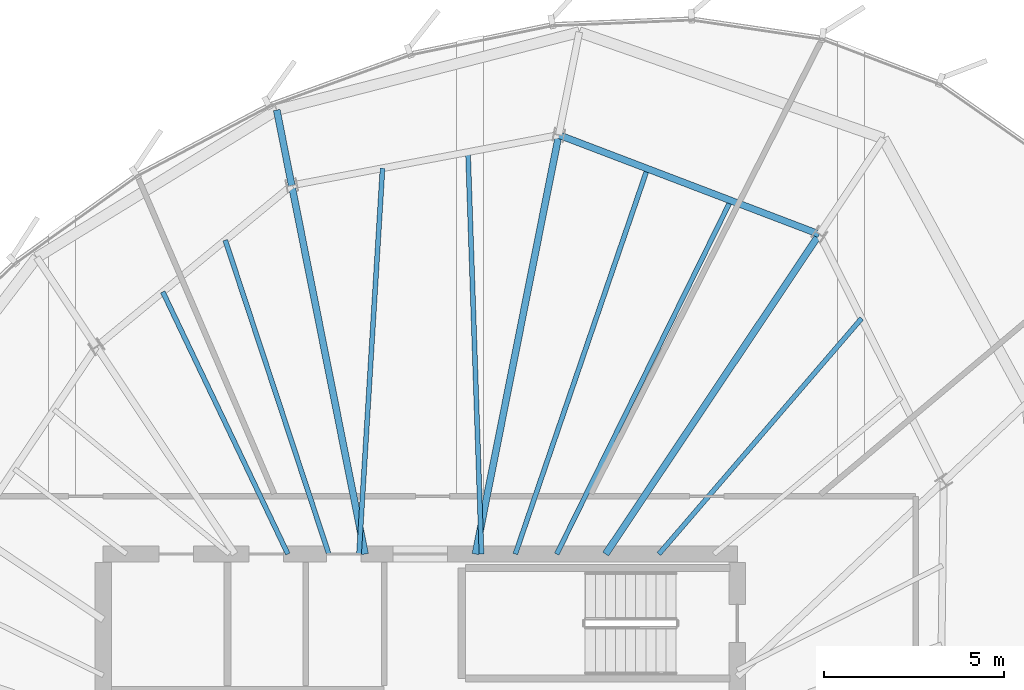
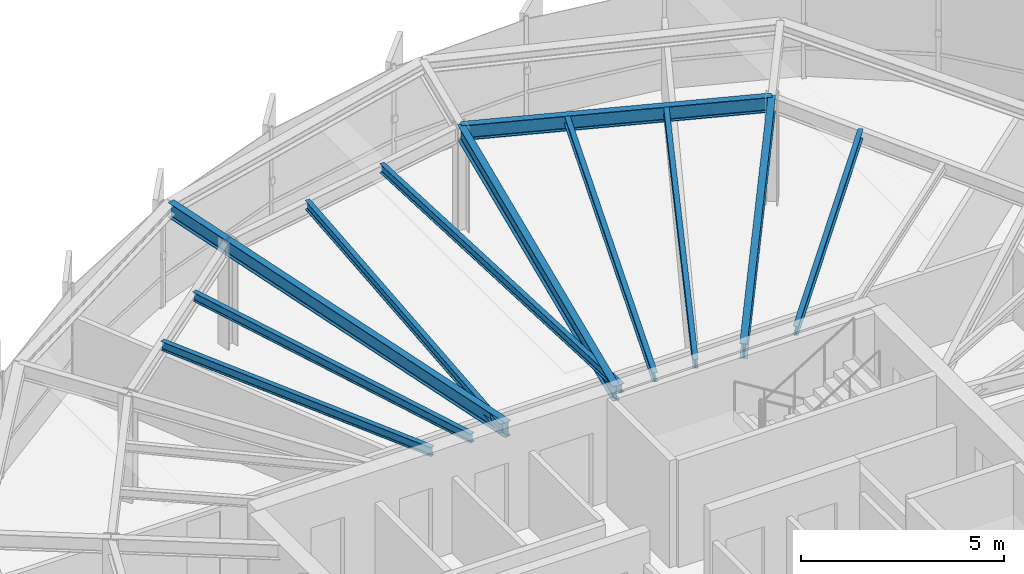
# One storey, part 22 of 36: 12 beams.
"""IFC4 building model written with IfcOpenShell, lengths in metres."""

from ifc_helpers import new_model, si_unit, direction, frame, origin, origin_2d, place, context, subcontext, project, spatial, i_section, extrude, source, transform, mapped, material, material_profile, profile_set, type_object, element, save


model = new_model("IFC4")

# Units and contexts
model_context = context("Model", 3, precision=1e-05, world=origin(), true_north=direction((0.0, 1.0)))
body_context = subcontext(model_context, "Body", "Model", "MODEL_VIEW")
ifc_project = project(units=[si_unit("LENGTHUNIT", "METRE"), si_unit("AREAUNIT", "SQUARE_METRE"), si_unit("VOLUMEUNIT", "CUBIC_METRE"), si_unit("PLANEANGLEUNIT", "RADIAN"), si_unit("MASSUNIT", "GRAM", prefix="KILO"), si_unit("THERMODYNAMICTEMPERATUREUNIT", "KELVIN")], contexts=[model_context])

# Site, building, storey
site_placement = place(None, origin())
site = spatial("IfcSite", under=ifc_project, at=site_placement, CompositionType="ELEMENT")
building_placement = place(site_placement, origin())
building = spatial("IfcBuilding", under=site, at=building_placement, Name="Kethvar Cultural Tower", CompositionType="ELEMENT")
storey_placement = place(building_placement, frame((0.0, 0.0, 228.39990234375)))
storey = spatial("IfcBuildingStorey", under=building, at=storey_placement, Name="L59", CompositionType="ELEMENT", Elevation=228.39990234375)

# Beams
ifc_material = material(Name="Steel S355J2", Category="steel")
ifc_material_profile_1 = material_profile(ifc_material, i_section(OverallWidth=0.18994140625, OverallDepth=0.449951171875, WebThickness=0.009521484375, FlangeThickness=0.0146484375, FilletRadius=0.02099609375, at=origin_2d()), Name="Steel S355J2 — IPE450")
ifc_profile_set_1 = profile_set([ifc_material_profile_1], Name="Steel S355J2 — IPE450")
beam_type_1 = type_object("IfcBeamType", Name="BM-IPE450", PredefinedType="BEAM", material=ifc_profile_set_1)
shared_shape_1 = source(origin(), body_context, "Body", "SweptSolid", [
    extrude(i_section(OverallWidth=0.18994140625, OverallDepth=0.449951171875, WebThickness=0.009521484375, FlangeThickness=0.0146484375, FilletRadius=0.02099609375, at=origin_2d()), origin(), (0.0, 0.0, 1.0), 10.673828125),
])
beam_1_placement = place(storey_placement, frame((51.945068359375, 35.5, 2.983154296875), z_axis=(0.555576086183, 0.831465701314, 0.0), x_axis=(-0.831465701314, 0.555576086183, 0.0)))
element("IfcBeam", 1, at=beam_1_placement, inside=storey, type_object=beam_type_1, Name="L59 Primary Radial Beam RB-03", PredefinedType="BEAM", context=body_context, shape_type="MappedRepresentation", body=[
    mapped(shared_shape_1, transform((0.0, 0.0, 0.0), scale=1.0)),
])
shared_shape_2 = source(origin(), body_context, "Body", "SweptSolid", [
    extrude(i_section(OverallWidth=0.18994140625, OverallDepth=0.449951171875, WebThickness=0.009521484375, FlangeThickness=0.0146484375, FilletRadius=0.02099609375, at=origin_2d()), origin(), (0.0, 0.0, 1.0), 11.859375),
])
beam_2_placement = place(storey_placement, frame((48.33154296875, 35.5, 2.983154296875), z_axis=(0.195094640585, 0.980784421377, 0.0), x_axis=(-0.980784421377, 0.195094640585, 0.0)))
element("IfcBeam", 2, at=beam_2_placement, inside=storey, type_object=beam_type_1, Name="L59 Primary Radial Beam RB-04", PredefinedType="BEAM", context=body_context, shape_type="MappedRepresentation", body=[
    mapped(shared_shape_2, transform((0.0, 0.0, 0.0), scale=1.0)),
])
shared_shape_3 = source(origin(), body_context, "Body", "SweptSolid", [
    extrude(i_section(OverallWidth=0.18994140625, OverallDepth=0.449951171875, WebThickness=0.009521484375, FlangeThickness=0.0146484375, FilletRadius=0.02099609375, at=origin_2d()), origin(), (0.0, 0.0, 1.0), 10.432861328125),
])
beam_3_placement = place(storey_placement, frame((45.268310546875, 35.5, 2.983154296875), z_axis=(-0.195094483249, 0.980784452673, 0.0), x_axis=(-0.980784452673, -0.195094483249, 0.0)))
element("IfcBeam", 3, at=beam_3_placement, inside=storey, type_object=beam_type_1, Name="L59 Primary Radial Beam RB-05", PredefinedType="BEAM", context=body_context, shape_type="MappedRepresentation", body=[
    mapped(shared_shape_3, transform((0.0, 0.0, 0.0), scale=1.0)),
])
shared_shape_4 = source(origin(), body_context, "Body", "SweptSolid", [
    extrude(i_section(OverallWidth=0.18994140625, OverallDepth=0.449951171875, WebThickness=0.009521484375, FlangeThickness=0.0146484375, FilletRadius=0.02099609375, at=origin_2d()), origin(), (0.0, 0.0, 1.0), 2.1328125),
])
beam_4_placement = place(storey_placement, frame((43.23291015625, 45.732421875, 2.983154296875), z_axis=(-0.195059361677, 0.98079143829, 0.0), x_axis=(-0.98079143829, -0.195059361677, 0.0)))
element("IfcBeam", 4, at=beam_4_placement, inside=storey, type_object=beam_type_1, Name="L59 Perimeter Cantilever Beam RC-05", PredefinedType="BEAM", context=body_context, shape_type="MappedRepresentation", body=[
    mapped(shared_shape_4, transform((0.0, 0.0, 0.0), scale=1.0)),
])
ifc_material_profile_2 = material_profile(ifc_material, i_section(OverallWidth=0.135009765625, OverallDepth=0.27001953125, WebThickness=0.006591796875, FlangeThickness=0.01025390625, FilletRadius=0.014892578125, at=origin_2d()), Name="Steel S355J2 — IPE270")
ifc_profile_set_2 = profile_set([ifc_material_profile_2], Name="Steel S355J2 — IPE270")
beam_type_2 = type_object("IfcBeamType", Name="BM-J270", PredefinedType="JOIST", material=ifc_profile_set_2)
shared_shape_5 = source(origin(), body_context, "Body", "SweptSolid", [
    extrude(i_section(OverallWidth=0.135009765625, OverallDepth=0.27001953125, WebThickness=0.006591796875, FlangeThickness=0.01025390625, FilletRadius=0.014892578125, at=origin_2d()), origin(), (0.0, 0.0, 1.0), 8.6259765625),
])
beam_5_placement = place(storey_placement, frame((53.42333984375, 35.5, 3.072998046875), z_axis=(0.65210499689, 0.758128665222, 0.0), x_axis=(-0.758128665222, 0.65210499689, 0.0)))
element("IfcBeam", 5, at=beam_5_placement, inside=storey, type_object=beam_type_2, Name="L59 Composite Floor Joist J-02B", PredefinedType="JOIST", context=body_context, shape_type="MappedRepresentation", body=[
    mapped(shared_shape_5, transform((0.0, 0.0, 0.0), scale=1.0)),
])
shared_shape_6 = source(origin(), body_context, "Body", "SweptSolid", [
    extrude(i_section(OverallWidth=0.18994140625, OverallDepth=0.449951171875, WebThickness=0.009521484375, FlangeThickness=0.0146484375, FilletRadius=0.02099609375, at=origin_2d()), origin(), (0.0, 0.0, 1.0), 7.737548828125),
])
beam_6_placement = place(storey_placement, frame((57.875244140625, 44.375, 2.983154296875), z_axis=(-0.934388230776, 0.356256416347, 0.0), x_axis=(-0.356256416347, -0.934388230776, 0.0)))
element("IfcBeam", 6, at=beam_6_placement, inside=storey, type_object=beam_type_1, Name="L59 Column Ring Tie Beam CR-03", PredefinedType="BEAM", context=body_context, shape_type="MappedRepresentation", body=[
    mapped(shared_shape_6, transform((0.0, 0.0, 0.0), scale=1.0)),
])
shared_shape_7 = source(origin(), body_context, "Body", "SweptSolid", [
    extrude(i_section(OverallWidth=0.135009765625, OverallDepth=0.27001953125, WebThickness=0.006591796875, FlangeThickness=0.01025390625, FilletRadius=0.014892578125, at=origin_2d()), origin(), (0.0, 0.0, 1.0), 10.935791015625),
])
beam_7_placement = place(storey_placement, frame((50.5888671875, 35.5, 3.072998046875), z_axis=(0.441498236677, 0.897262117227, 0.0), x_axis=(-0.897262117227, 0.441498236677, 0.0)))
element("IfcBeam", 7, at=beam_7_placement, inside=storey, type_object=beam_type_2, Name="L59 Composite Floor Joist J-03A", PredefinedType="JOIST", context=body_context, shape_type="MappedRepresentation", body=[
    mapped(shared_shape_7, transform((0.0, 0.0, 0.0), scale=1.0)),
])
shared_shape_8 = source(origin(), body_context, "Body", "SweptSolid", [
    extrude(i_section(OverallWidth=0.135009765625, OverallDepth=0.27001953125, WebThickness=0.006591796875, FlangeThickness=0.01025390625, FilletRadius=0.014892578125, at=origin_2d()), origin(), (0.0, 0.0, 1.0), 11.304931640625),
])
beam_8_placement = place(storey_placement, frame((49.438720703125, 35.5, 3.072998046875), z_axis=(0.324179110764, 0.945995720997, 0.0), x_axis=(-0.945995720997, 0.324179110764, 0.0)))
element("IfcBeam", 8, at=beam_8_placement, inside=storey, type_object=beam_type_2, Name="L59 Composite Floor Joist J-03B", PredefinedType="JOIST", context=body_context, shape_type="MappedRepresentation", body=[
    mapped(shared_shape_8, transform((0.0, 0.0, 0.0), scale=1.0)),
])
shared_shape_9 = source(origin(), body_context, "Body", "SweptSolid", [
    extrude(i_section(OverallWidth=0.135009765625, OverallDepth=0.27001953125, WebThickness=0.006591796875, FlangeThickness=0.01025390625, FilletRadius=0.014892578125, at=origin_2d()), origin(), (0.0, 0.0, 1.0), 11.162109375),
])
beam_9_placement = place(storey_placement, frame((48.5, 35.5, 3.072998046875), z_axis=(-0.0335959409, 0.999435497046, 0.0), x_axis=(-0.999435497046, -0.0335959409, 0.0)))
element("IfcBeam", 9, at=beam_9_placement, inside=storey, type_object=beam_type_2, Name="L59 Composite Floor Joist J-04A", PredefinedType="JOIST", context=body_context, shape_type="MappedRepresentation", body=[
    mapped(shared_shape_9, transform((0.0, 0.0, 0.0), scale=1.0)),
])
shared_shape_10 = source(origin(), body_context, "Body", "SweptSolid", [
    extrude(i_section(OverallWidth=0.135009765625, OverallDepth=0.27001953125, WebThickness=0.006591796875, FlangeThickness=0.01025390625, FilletRadius=0.014892578125, at=origin_2d()), origin(), (0.0, 0.0, 1.0), 10.727783203125),
])
beam_10_placement = place(storey_placement, frame((45.10009765625, 35.5, 3.072998046875), z_axis=(0.060876395586, 0.998145312297, 0.0), x_axis=(-0.998145312297, 0.060876395586, 0.0)))
element("IfcBeam", 10, at=beam_10_placement, inside=storey, type_object=beam_type_2, Name="L59 Composite Floor Joist J-04B", PredefinedType="JOIST", context=body_context, shape_type="MappedRepresentation", body=[
    mapped(shared_shape_10, transform((0.0, 0.0, 0.0), scale=1.0)),
])
shared_shape_11 = source(origin(), body_context, "Body", "SweptSolid", [
    extrude(i_section(OverallWidth=0.135009765625, OverallDepth=0.27001953125, WebThickness=0.006591796875, FlangeThickness=0.01025390625, FilletRadius=0.014892578125, at=origin_2d()), origin(), (0.0, 0.0, 1.0), 9.17138671875),
])
beam_11_placement = place(storey_placement, frame((44.260986328125, 35.5, 3.072998046875), z_axis=(-0.313151555446, 0.949703165901, 0.0), x_axis=(-0.949703165901, -0.313151555446, 0.0)))
element("IfcBeam", 11, at=beam_11_placement, inside=storey, type_object=beam_type_2, Name="L59 Composite Floor Joist J-05A", PredefinedType="JOIST", context=body_context, shape_type="MappedRepresentation", body=[
    mapped(shared_shape_11, transform((0.0, 0.0, 0.0), scale=1.0)),
])
shared_shape_12 = source(origin(), body_context, "Body", "SweptSolid", [
    extrude(i_section(OverallWidth=0.135009765625, OverallDepth=0.27001953125, WebThickness=0.006591796875, FlangeThickness=0.01025390625, FilletRadius=0.014892578125, at=origin_2d()), origin(), (0.0, 0.0, 1.0), 8.063232421875),
])
beam_12_placement = place(storey_placement, frame((43.1259765625, 35.5, 3.072998046875), z_axis=(-0.430642151588, 0.902522762746, 0.0), x_axis=(-0.902522762746, -0.430642151588, 0.0)))
element("IfcBeam", 12, at=beam_12_placement, inside=storey, type_object=beam_type_2, Name="L59 Composite Floor Joist J-05B", PredefinedType="JOIST", context=body_context, shape_type="MappedRepresentation", body=[
    mapped(shared_shape_12, transform((0.0, 0.0, 0.0), scale=1.0)),
])

save(model, "model.ifc")
